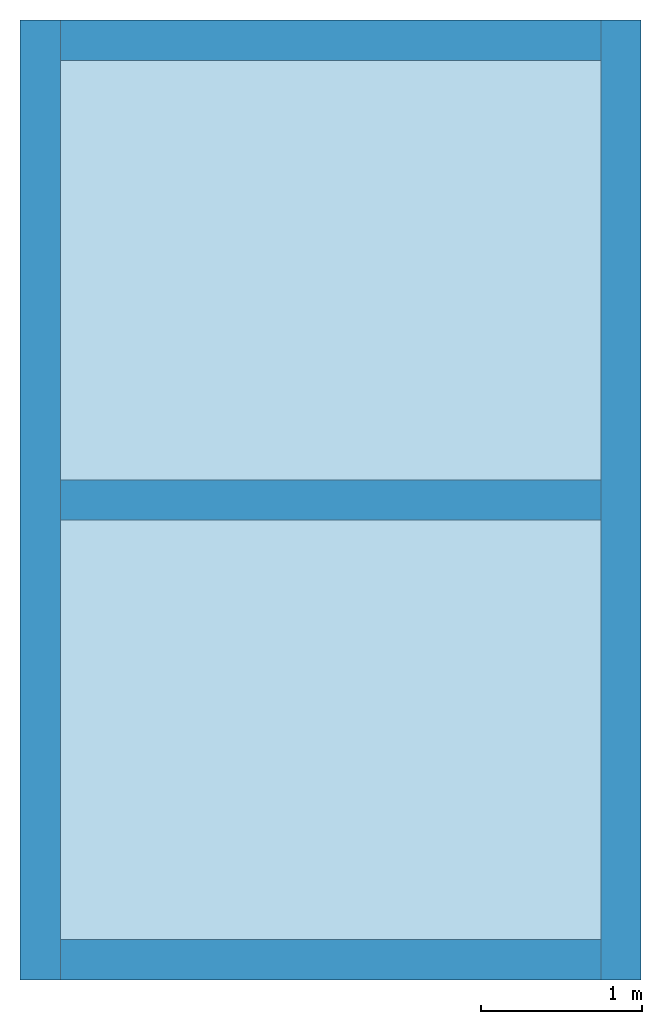
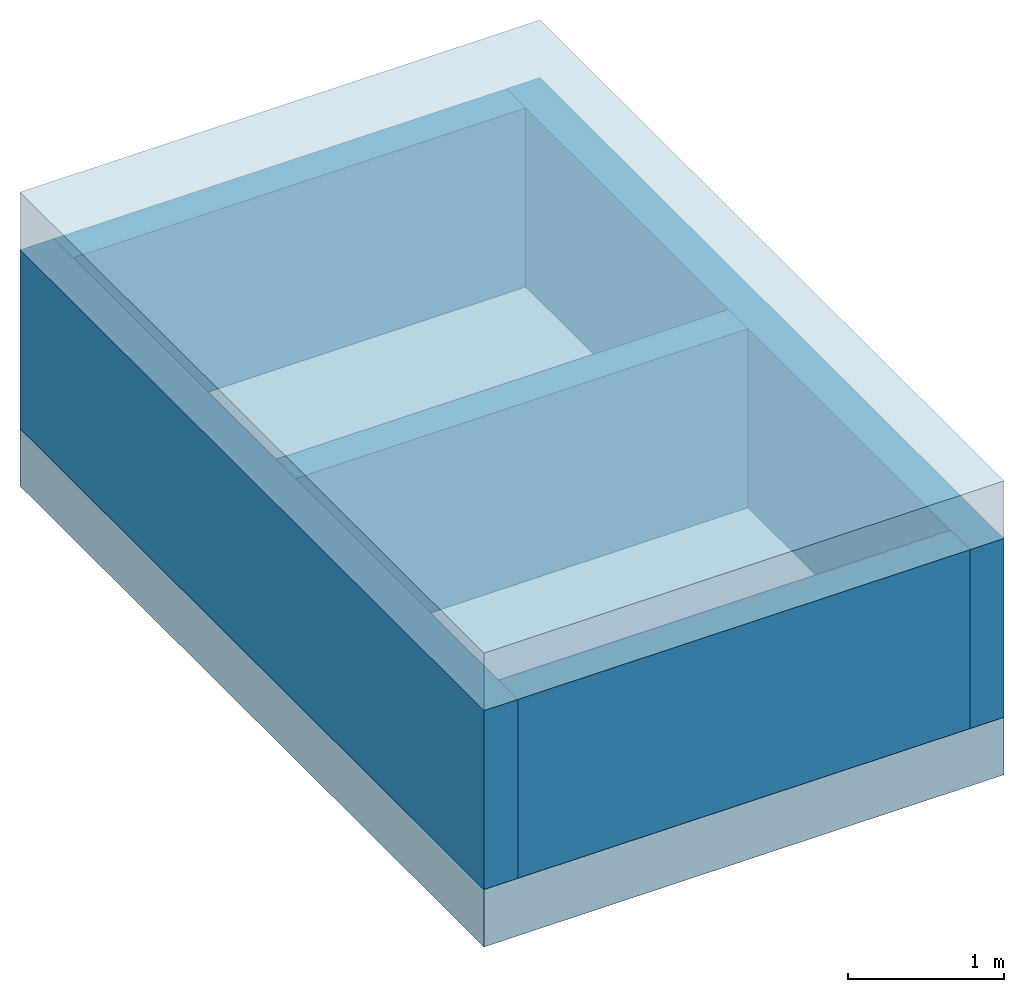
# One storey: 5 walls, 2 slabs.
"""IFC4 building model written with IfcOpenShell, lengths in metres."""

from ifc_helpers import new_model, si_unit, direction, frame, frame_2d, origin, place, context, subcontext, project, spatial, polyline, rectangle, outline, extrude, source, transform, mapped, material, layer, layer_set, type_object, element, save


model = new_model("IFC4")

# Units and contexts
model_context = context("Model", 3, precision=1e-05, world=origin(), true_north=direction((0.0, 1.0)))
body_context = subcontext(model_context, "Body", "Model", "MODEL_VIEW")
ifc_project = project(units=[si_unit("LENGTHUNIT", "METRE"), si_unit("AREAUNIT", "SQUARE_METRE"), si_unit("VOLUMEUNIT", "CUBIC_METRE"), si_unit("PLANEANGLEUNIT", "RADIAN"), si_unit("MASSUNIT", "GRAM", prefix="KILO")], contexts=[model_context])

# Site, building, storey
site_placement = place(None, origin())
site = spatial("IfcSite", under=ifc_project, at=site_placement, CompositionType="ELEMENT")
building_placement = place(site_placement, origin())
building = spatial("IfcBuilding", under=site, at=building_placement, Name="Aurelian Terraces", CompositionType="ELEMENT")
storey_placement = place(building_placement, frame((0.0, 0.0, 428.4)))
storey = spatial("IfcBuildingStorey", under=building, at=storey_placement, Name="ROOF-2", CompositionType="ELEMENT", Elevation=428.4)

# Slabs
ifc_material_1 = material(Name="Concrete fc' 40 MPa", Category="concrete")
ifc_layer_1 = layer(ifc_material_1, 0.45)
ifc_layer_set_1 = layer_set([ifc_layer_1], Name="CROWN ROOF SLAB 450")
slab_type = type_object("IfcSlabType", Name="CROWN ROOF SLAB 450", PredefinedType="ROOF", material=ifc_layer_set_1)
slab_1_placement = place(storey_placement, origin())
element("IfcSlab", 1, at=slab_1_placement, inside=storey, type_object=slab_type, Name="Crown tier roof slab LR3", PredefinedType="ROOF", context=body_context, shape_type="SweptSolid", body=[
    extrude(outline(polyline([(43.925, 2.275), (43.925, 8.225), (40.075, 8.225), (40.075, 2.275), (43.925, 2.275)])), origin(), (0.0, 0.0, 1.0), 0.45),
])
shared_shape_1 = source(origin(), body_context, "Body", "SweptSolid", [
    extrude(outline(polyline([(43.925, 2.275), (43.925, 8.225), (40.075, 8.225), (40.075, 2.275), (43.925, 2.275)])), origin(), (0.0, 0.0, 1.0), 0.45),
])
slab_2_placement = place(storey_placement, frame((0.0, 0.0, 1.85)))
element("IfcSlab", 2, at=slab_2_placement, inside=storey, type_object=slab_type, Name="Crown tier roof slab LR4", PredefinedType="ROOF", context=body_context, shape_type="MappedRepresentation", body=[
    mapped(shared_shape_1, transform((0.0, 0.0, 0.0), scale=1.0)),
])

# Walls
ifc_material_2 = material(Name="Concrete fc' 55 MPa", Category="concrete")
ifc_layer_2 = layer(ifc_material_2, 0.25)
ifc_layer_set_2 = layer_set([ifc_layer_2], Name="PLANT PENTHOUSE 250 FC55")
wall_type = type_object("IfcWallType", Name="PLANT PENTHOUSE 250 FC55", PredefinedType="SOLIDWALL", material=ifc_layer_set_2)
wall_1_placement = place(storey_placement, frame((40.325, 5.25, 0.45), z_axis=(0.0, 0.0, 1.0), x_axis=(1.0, 0.0, 0.0)))
element("IfcWall", 3, at=wall_1_placement, inside=storey, type_object=wall_type, Name="Plant bay wall", PredefinedType="SOLIDWALL", context=body_context, shape_type="SweptSolid", body=[
    extrude(rectangle(XDim=3.35, YDim=0.25, at=frame_2d((1.675, 0.0))), origin(), (0.0, 0.0, 1.0), 1.4),
])
wall_2_placement = place(storey_placement, frame((43.8, 2.275, 0.45), z_axis=(0.0, 0.0, 1.0), x_axis=(0.0, 1.0, 0.0)))
element("IfcWall", 4, at=wall_2_placement, inside=storey, type_object=wall_type, Name="Crown tier wall LR4", PredefinedType="SOLIDWALL", context=body_context, shape_type="SweptSolid", body=[
    extrude(rectangle(XDim=5.95, YDim=0.25, at=frame_2d((2.975, 0.0))), origin(), (0.0, 0.0, 1.0), 1.4),
])
shared_shape_2 = source(origin(), body_context, "Body", "SweptSolid", [
    extrude(rectangle(XDim=3.35, YDim=0.25, at=frame_2d((1.675, 0.0))), origin(), (0.0, 0.0, 1.0), 1.4),
])
for number, where, z_axis, x_axis, name in (
    (5, (40.325, 2.4, 0.45), (0.0, 0.0, 1.0), (1.0, 0.0, 0.0), "Crown tier wall LR4"),
    (6, (43.675, 8.1, 0.45), (0.0, 0.0, 1.0), (-1.0, 0.0, 0.0), "Crown tier wall LR4"),
):
    element("IfcWall", number, at=place(storey_placement, frame(where, z_axis=z_axis, x_axis=x_axis)), inside=storey, type_object=wall_type, Name=name, PredefinedType="SOLIDWALL", context=body_context, shape_type="MappedRepresentation", body=[
        mapped(shared_shape_2, transform((0.0, 0.0, 0.0), scale=1.0)),
    ])
shared_shape_3 = source(origin(), body_context, "Body", "SweptSolid", [
    extrude(rectangle(XDim=5.95, YDim=0.25, at=frame_2d((2.975, 0.0))), origin(), (0.0, 0.0, 1.0), 1.4),
])
wall_3_placement = place(storey_placement, frame((40.2, 8.225, 0.45), z_axis=(0.0, 0.0, 1.0), x_axis=(0.0, -1.0, 0.0)))
element("IfcWall", 7, at=wall_3_placement, inside=storey, type_object=wall_type, Name="Crown tier wall LR4", PredefinedType="SOLIDWALL", context=body_context, shape_type="MappedRepresentation", body=[
    mapped(shared_shape_3, transform((0.0, 0.0, 0.0), scale=1.0)),
])

save(model, "model.ifc")
